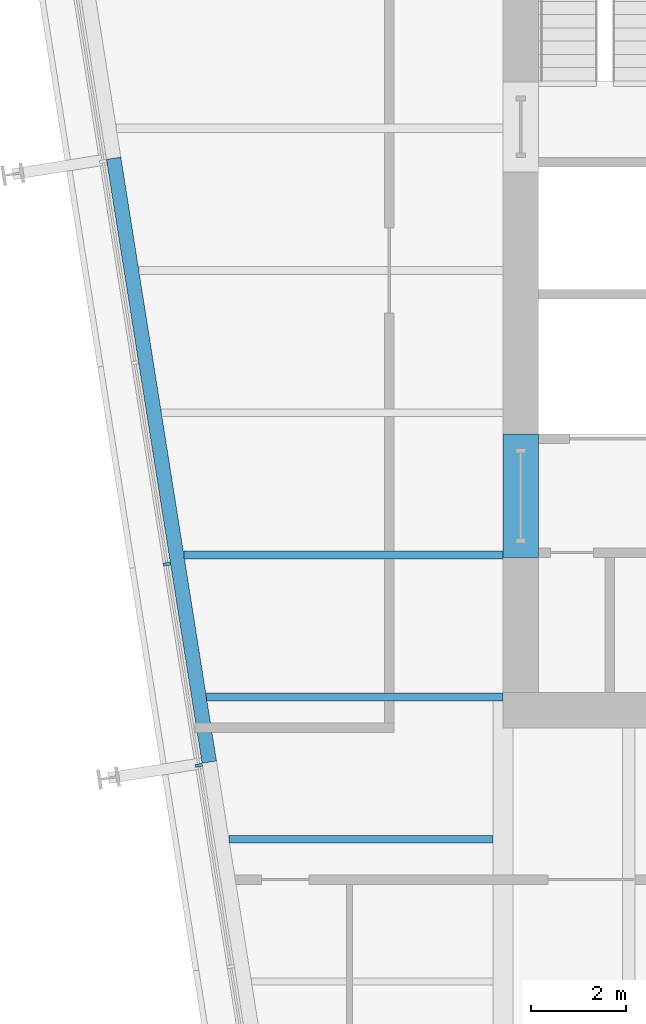
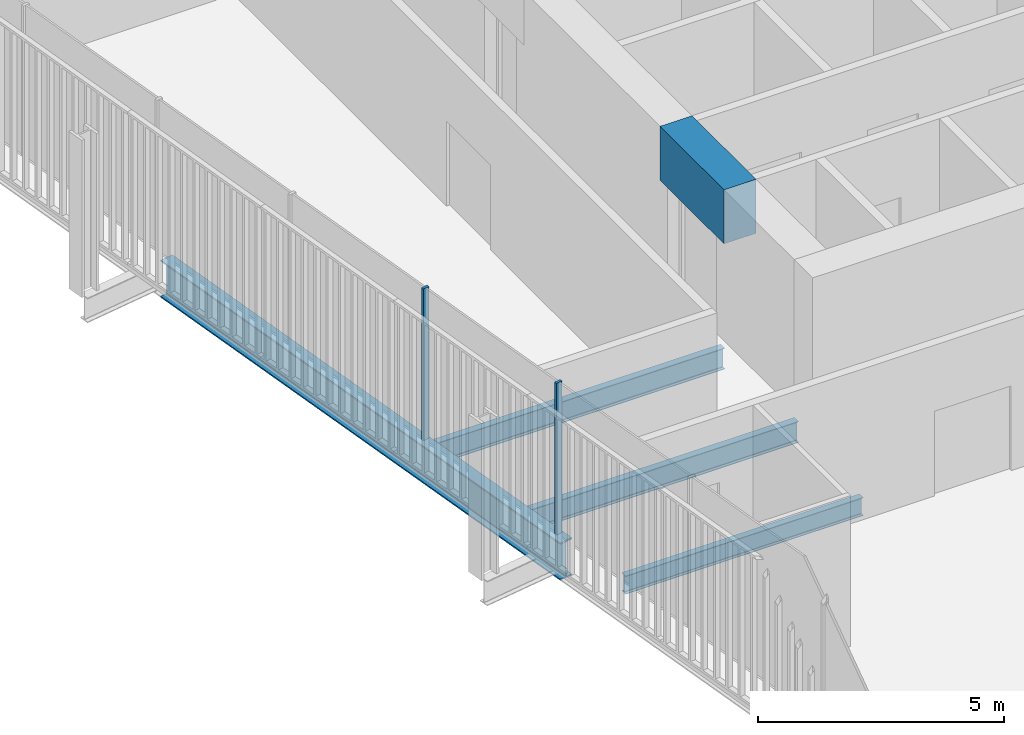
# One storey, part 4 of 21: 5 beams, 2 members, 1 element without a shape of its own.
"""IFC4 building model written with IfcOpenShell, lengths in metres."""

from ifc_helpers import new_model, si_unit, direction, frame, origin, origin_2d, place, context, subcontext, project, spatial, rectangle, i_section, extrude, material, layer, layer_set, material_profile, profile_set, type_object, element, aggregate, save


model = new_model("IFC4")

# Units and contexts
model_context = context("Model", 3, precision=1e-05, world=origin(), true_north=direction((0.0, 1.0)))
body_context = subcontext(model_context, "Body", "Model", "MODEL_VIEW")
ifc_project = project(units=[si_unit("LENGTHUNIT", "METRE"), si_unit("AREAUNIT", "SQUARE_METRE"), si_unit("VOLUMEUNIT", "CUBIC_METRE"), si_unit("PLANEANGLEUNIT", "RADIAN"), si_unit("MASSUNIT", "GRAM", prefix="KILO")], contexts=[model_context])

# Site, building, storey
site_placement = place(None, origin())
site = spatial("IfcSite", under=ifc_project, at=site_placement, CompositionType="ELEMENT")
building_placement = place(site_placement, origin())
building = spatial("IfcBuilding", under=site, at=building_placement, Name="Millrace Tower", CompositionType="ELEMENT")
storey_placement = place(building_placement, frame((0.0, 0.0, 133.39990234375)))
storey = spatial("IfcBuildingStorey", under=building, at=storey_placement, Name="L29", CompositionType="ELEMENT", Elevation=133.39990234375)

# Curtain wall, members
ifc_material_1 = material(Name="Aluminium and glass", Category="aluminium")
ifc_layer = layer(ifc_material_1, 0.14990234375)
ifc_layer_set = layer_set([ifc_layer], Name="Aluminium and glass")
curtain_wall_type = type_object("IfcCurtainWallType", Name="CW-1 office vision curtain wall", PredefinedType="NOTDEFINED", material=ifc_layer_set)
curtain_wall_placement = place(storey_placement, origin())
curtain_wall = element("IfcCurtainWall", 1, at=curtain_wall_placement, inside=storey, type_object=curtain_wall_type, Name="Curtain wall C-F08 L29", PredefinedType="NOTDEFINED")
ifc_material_2 = material(Name="Aluminium", Category="aluminium")
ifc_material_profile_1 = material_profile(ifc_material_2, rectangle(XDim=0.06494140625, YDim=0.14990234375, at=origin_2d()))
ifc_profile_set_1 = profile_set([ifc_material_profile_1], Name="Aluminium")
member_type = type_object("IfcMemberType", Name="CW-1 office vision curtain wall mullion", PredefinedType="MULLION", material=ifc_profile_set_1)
member_1_placement = place(storey_placement, frame((-21.743408203125, -6.193603515625, 0.14013671875), z_axis=(0.0, 0.0, 1.0), x_axis=(0.15643447328, -0.98768833929, 0.0)))
member_1 = element("IfcMember", 2, at=member_1_placement, type_object=member_type, Name="CW1 mullion C-F08.6", PredefinedType="MULLION", context=body_context, shape_type="SweptSolid", body=[
    extrude(rectangle(XDim=0.06494140625, YDim=0.14990234375, at=origin_2d()), origin(), (0.0, 0.0, 1.0), 3.760009765625),
])
member_2_placement = place(storey_placement, frame((-21.070556640625, -10.440673828125, 0.14013671875), z_axis=(0.0, 0.0, 1.0), x_axis=(0.15643447328, -0.98768833929, 0.0)))
member_2 = element("IfcMember", 3, at=member_2_placement, type_object=member_type, Name="CW1 mullion C-F08.7", PredefinedType="MULLION", context=body_context, shape_type="SweptSolid", body=[
    extrude(rectangle(XDim=0.06494140625, YDim=0.14990234375, at=origin_2d()), origin(), (0.0, 0.0, 1.0), 3.760009765625),
])
aggregate(curtain_wall, [member_1, member_2])

# Beams
ifc_material_3 = material(Name="Concrete C70", Category="concrete")
ifc_material_profile_2 = material_profile(ifc_material_3, rectangle(XDim=0.75, YDim=1.340087890625, at=origin_2d()))
ifc_profile_set_2 = profile_set([ifc_material_profile_2], Name="Concrete C70")
beam_type_1 = type_object("IfcBeamType", Name="Coupling beam 750 x 1340 Concrete C70, 2000 opening", PredefinedType="BEAM", material=ifc_profile_set_2)
beam_1_placement = place(storey_placement, frame((-14.27490234375, -6.050048828125, 3.070068359375), z_axis=(0.0, 1.0, 0.0), x_axis=(-1.0, 0.0, 0.0)))
element("IfcBeam", 4, at=beam_1_placement, inside=storey, type_object=beam_type_1, Name="Coupling beam W L29", PredefinedType="BEAM", context=body_context, shape_type="SweptSolid", body=[
    extrude(rectangle(XDim=0.75, YDim=1.340087890625, at=origin_2d()), origin(), (0.0, 0.0, 1.0), 2.60009765625),
])
ifc_material_4 = material(Name="Steel ASTM A992 Grade 50", Category="steel")
ifc_material_profile_3 = material_profile(ifc_material_4, i_section(OverallWidth=0.15234375, OverallDepth=0.449462890625, WebThickness=0.007568359375, FlangeThickness=0.0107421875, FilletRadius=0.01025390625, at=origin_2d()))
ifc_profile_set_3 = profile_set([ifc_material_profile_3], Name="Steel ASTM A992 Grade 50")
beam_type_2 = type_object("IfcBeamType", Name="Floor beam W18x35", PredefinedType="JOIST", material=ifc_profile_set_3)
beam_2_placement = place(storey_placement, frame((-20.4365234375, -12.0, -0.384765625), z_axis=(1.0, 0.0, 0.0), x_axis=(0.0, 1.0, 0.0)))
element("IfcBeam", 5, at=beam_2_placement, inside=storey, type_object=beam_type_2, Name="BM-C-L29-S1-S008", PredefinedType="JOIST", context=body_context, shape_type="SweptSolid", body=[
    extrude(i_section(OverallWidth=0.15234375, OverallDepth=0.449462890625, WebThickness=0.007568359375, FlangeThickness=0.0107421875, FilletRadius=0.01025390625, at=origin_2d()), origin(), (0.0, 0.0, 1.0), 5.576904296875),
])
ifc_material_5 = material(Name="Steel ASTM A992 Grade 50", Category="steel")
ifc_material_profile_4 = material_profile(ifc_material_5, i_section(OverallWidth=0.1650390625, OverallDepth=0.52587890625, WebThickness=0.0087890625, FlangeThickness=0.011474609375, FilletRadius=0.0126953125, at=origin_2d()))
ifc_profile_set_4 = profile_set([ifc_material_profile_4], Name="Steel ASTM A992 Grade 50")
beam_type_3 = type_object("IfcBeamType", Name="Floor beam W21x44", PredefinedType="JOIST", material=ifc_profile_set_4)
beam_3_placement = place(storey_placement, frame((-20.91162109375, -9.0, -0.4228515625), z_axis=(1.0, 0.0, 0.0), x_axis=(0.0, 1.0, 0.0)))
element("IfcBeam", 6, at=beam_3_placement, inside=storey, type_object=beam_type_3, Name="BM-C-L29-S1-S011", PredefinedType="JOIST", context=body_context, shape_type="SweptSolid", body=[
    extrude(i_section(OverallWidth=0.1650390625, OverallDepth=0.52587890625, WebThickness=0.0087890625, FlangeThickness=0.011474609375, FilletRadius=0.0126953125, at=origin_2d()), origin(), (0.0, 0.0, 1.0), 6.26171875),
])
beam_4_placement = place(storey_placement, frame((-21.386962890625, -6.0, -0.4228515625), z_axis=(1.0, 0.0, 0.0), x_axis=(0.0, 1.0, 0.0)))
element("IfcBeam", 7, at=beam_4_placement, inside=storey, type_object=beam_type_3, Name="BM-C-L29-S1-S014", PredefinedType="JOIST", context=body_context, shape_type="SweptSolid", body=[
    extrude(i_section(OverallWidth=0.1650390625, OverallDepth=0.52587890625, WebThickness=0.0087890625, FlangeThickness=0.011474609375, FilletRadius=0.0126953125, at=origin_2d()), origin(), (0.0, 0.0, 1.0), 6.737060546875),
])
ifc_material_6 = material(Name="Steel ASTM A992 Grade 50", Category="steel")
ifc_material_profile_5 = material_profile(ifc_material_6, i_section(OverallWidth=0.307373046875, OverallDepth=0.927001953125, WebThickness=0.01953125, FlangeThickness=0.031982421875, FilletRadius=0.01904296875, at=origin_2d()))
ifc_profile_set_5 = profile_set([ifc_material_profile_5], Name="Steel ASTM A992 Grade 50")
beam_type_4 = type_object("IfcBeamType", Name="Ring beam medium span W36x194", PredefinedType="SPANDREL", material=ifc_profile_set_5)
beam_5_placement = place(storey_placement, frame((-20.849853515625, -10.372802734375, -0.62353515625), z_axis=(-0.156438763615, 0.987687659758, 0.0), x_axis=(-0.987687659758, -0.156438763615, 0.0)))
element("IfcBeam", 8, at=beam_5_placement, inside=storey, type_object=beam_type_4, Name="RNG-C-L29-S1-02", PredefinedType="SPANDREL", context=body_context, shape_type="SweptSolid", body=[
    extrude(i_section(OverallWidth=0.307373046875, OverallDepth=0.927001953125, WebThickness=0.01953125, FlangeThickness=0.031982421875, FilletRadius=0.01904296875, at=origin_2d()), origin(), (0.0, 0.0, 1.0), 12.900146484375),
])

save(model, "model.ifc")
